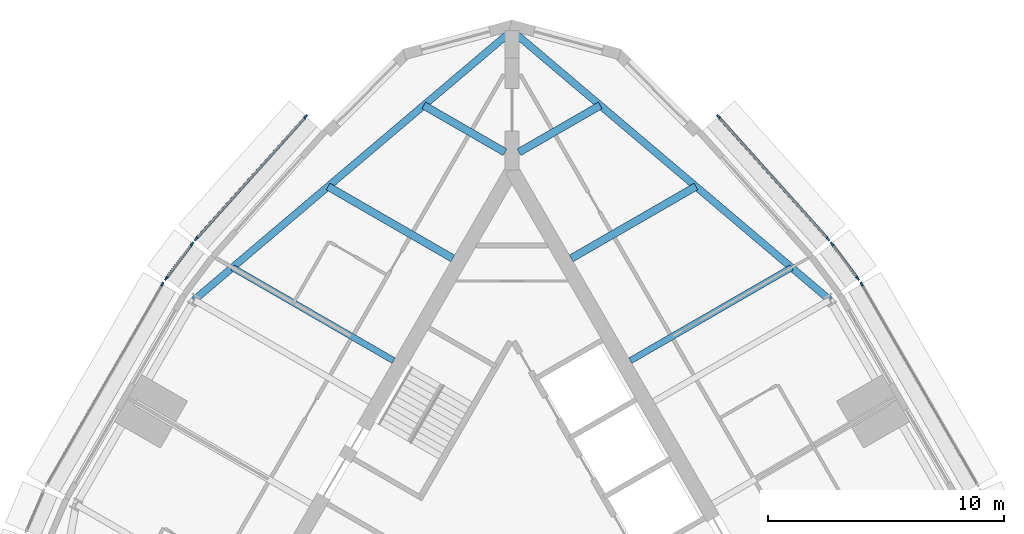
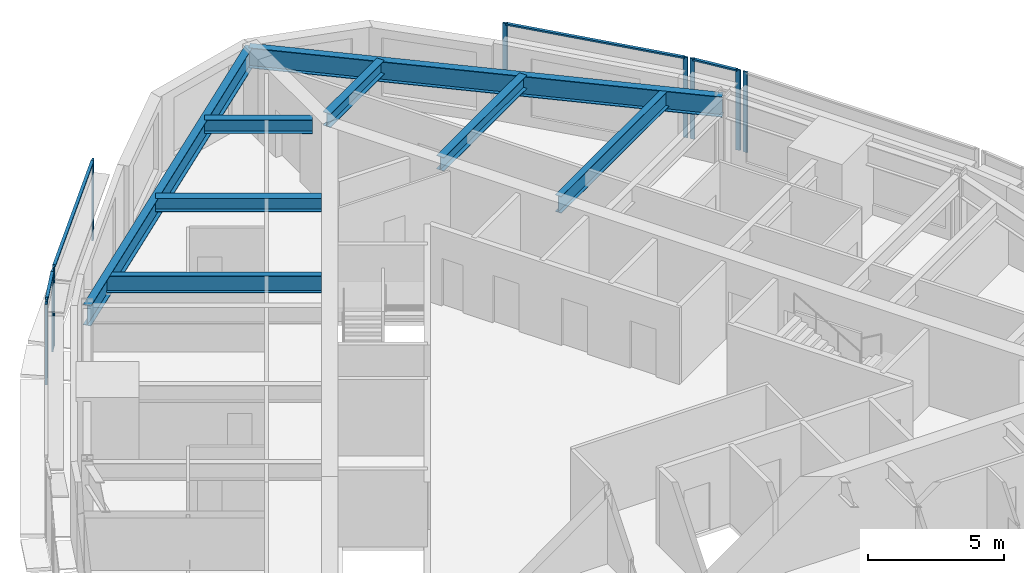
# One storey, part 5 of 12: 14 members, 8 beams, 6 elements without a shape of their own.
"""IFC4 building model written with IfcOpenShell, lengths in metres."""

from ifc_helpers import new_model, si_unit, direction, frame, origin, origin_2d, place, context, subcontext, project, spatial, rectangle, i_section, extrude, material, material_profile, profile_set, type_object, element, aggregate, save


model = new_model("IFC4")

# Units and contexts
model_context = context("Model", 3, precision=1e-05, world=origin(), true_north=direction((0.0, 1.0)))
body_context = subcontext(model_context, "Body", "Model", "MODEL_VIEW")
ifc_project = project(units=[si_unit("LENGTHUNIT", "METRE"), si_unit("AREAUNIT", "SQUARE_METRE"), si_unit("VOLUMEUNIT", "CUBIC_METRE"), si_unit("PLANEANGLEUNIT", "RADIAN"), si_unit("MASSUNIT", "GRAM", prefix="KILO")], contexts=[model_context])

# Site, building, storey
site_placement = place(None, origin())
site = spatial("IfcSite", under=ifc_project, at=site_placement, CompositionType="ELEMENT")
building_placement = place(site_placement, origin())
building = spatial("IfcBuilding", under=site, at=building_placement, Name="Trikona Tower", CompositionType="ELEMENT")
storey_placement = place(building_placement, frame((0.0, 0.0, 250.10009765625)))
storey = spatial("IfcBuildingStorey", under=building, at=storey_placement, Name="L66", CompositionType="ELEMENT", Elevation=250.10009765625)

# Curtain wall, member
ifc_material_1 = material(Name="Aluminium curtain wall system", Category="aluminium")
curtain_wall_type = type_object("IfcCurtainWallType", Name="Curtain wall DS3", PredefinedType="NOTDEFINED", material=ifc_material_1)
curtain_wall_1_placement = place(storey_placement, origin())
curtain_wall_1 = element("IfcCurtainWall", 1, at=curtain_wall_1_placement, inside=storey, type_object=curtain_wall_type, Name="Curtain wall DS3 L66", PredefinedType="NOTDEFINED")
ifc_material_2 = material(Name="Aluminium mullion, pale anodised", Category="aluminium")
ifc_material_profile_1 = material_profile(ifc_material_2, rectangle(XDim=0.070068359375, YDim=0.179931640625, at=origin_2d()), Name="MUL-DS3")
ifc_profile_set_1 = profile_set([ifc_material_profile_1], Name="Aluminium mullion, pale anodised")
member_type_1 = type_object("IfcMemberType", Name="Mullion DS3 70x180", PredefinedType="MULLION", material=ifc_profile_set_1)
member_1_placement = place(storey_placement, frame((14.807861328125, 14.213134765625, 0.0), z_axis=(0.0, 0.0, 1.0), x_axis=(-0.866024619633, -0.500001358187, 0.0)))
member_1 = element("IfcMember", 2, at=member_1_placement, type_object=member_type_1, Name="CW-DS3 mullion 2", PredefinedType="MULLION", context=body_context, shape_type="SweptSolid", body=[
    extrude(rectangle(XDim=0.070068359375, YDim=0.179931640625, at=origin_2d()), origin(), (0.0, 0.0, 1.0), 3.599853515625),
])
aggregate(curtain_wall_1, [member_1])

# Curtain wall, members
curtain_wall_2_placement = place(storey_placement, origin())
curtain_wall_2 = element("IfcCurtainWall", 3, at=curtain_wall_2_placement, inside=storey, type_object=curtain_wall_type, Name="Curtain wall DS3 L66", PredefinedType="NOTDEFINED")
member_2_placement = place(storey_placement, frame((14.644287109375, 14.461181640625, 0.0), z_axis=(0.0, 0.0, 1.0), x_axis=(-0.800259657055, -0.599653634435, 0.0)))
member_2 = element("IfcMember", 4, at=member_2_placement, type_object=member_type_1, Name="CW-DS3 mullion 1", PredefinedType="MULLION", context=body_context, shape_type="SweptSolid", body=[
    extrude(rectangle(XDim=0.070068359375, YDim=0.179931640625, at=origin_2d()), origin(), (0.0, 0.0, 1.0), 3.599853515625),
])
member_3_placement = place(storey_placement, frame((13.55029296875, 15.9208984375, 0.0), z_axis=(0.0, 0.0, 1.0), x_axis=(-0.800259657055, -0.599653634435, 0.0)))
member_3 = element("IfcMember", 5, at=member_3_placement, type_object=member_type_1, Name="CW-DS3 mullion 2", PredefinedType="MULLION", context=body_context, shape_type="SweptSolid", body=[
    extrude(rectangle(XDim=0.070068359375, YDim=0.179931640625, at=origin_2d()), origin(), (0.0, 0.0, 1.0), 3.599853515625),
])

curtain_wall_3_placement = place(storey_placement, origin())
curtain_wall_3 = element("IfcCurtainWall", 6, at=curtain_wall_3_placement, inside=storey, type_object=curtain_wall_type, Name="Curtain wall DS3 L66", PredefinedType="NOTDEFINED")
member_4_placement = place(storey_placement, frame((13.380126953125, 16.128662109375, 0.0), z_axis=(0.0, 0.0, 1.0), x_axis=(-0.744771436797, -0.667319643748, 0.0)))
member_4 = element("IfcMember", 7, at=member_4_placement, type_object=member_type_1, Name="CW-DS3 mullion 1", PredefinedType="MULLION", context=body_context, shape_type="SweptSolid", body=[
    extrude(rectangle(XDim=0.070068359375, YDim=0.179931640625, at=origin_2d()), origin(), (0.0, 0.0, 1.0), 3.599853515625),
])
member_5_placement = place(storey_placement, frame((8.733642578125, 21.314453125, 0.0), z_axis=(0.0, 0.0, 1.0), x_axis=(-0.744771436797, -0.667319643748, 0.0)))
member_5 = element("IfcMember", 8, at=member_5_placement, type_object=member_type_1, Name="CW-DS3 mullion 2", PredefinedType="MULLION", context=body_context, shape_type="SweptSolid", body=[
    extrude(rectangle(XDim=0.070068359375, YDim=0.179931640625, at=origin_2d()), origin(), (0.0, 0.0, 1.0), 3.599853515625),
])

curtain_wall_4_placement = place(storey_placement, origin())
curtain_wall_4 = element("IfcCurtainWall", 9, at=curtain_wall_4_placement, inside=storey, type_object=curtain_wall_type, Name="Curtain wall DS3 L66", PredefinedType="NOTDEFINED")
member_6_placement = place(storey_placement, frame((-8.733642578125, 21.314453125, 0.0), z_axis=(0.0, 0.0, 1.0), x_axis=(0.744771436797, -0.667319643748, 0.0)))
member_6 = element("IfcMember", 10, at=member_6_placement, type_object=member_type_1, Name="CW-DS3 mullion 1", PredefinedType="MULLION", context=body_context, shape_type="SweptSolid", body=[
    extrude(rectangle(XDim=0.070068359375, YDim=0.179931640625, at=origin_2d()), origin(), (0.0, 0.0, 1.0), 3.599853515625),
])
member_7_placement = place(storey_placement, frame((-13.380126953125, 16.128662109375, 0.0), z_axis=(0.0, 0.0, 1.0), x_axis=(0.744771436797, -0.667319643748, 0.0)))
member_7 = element("IfcMember", 11, at=member_7_placement, type_object=member_type_1, Name="CW-DS3 mullion 2", PredefinedType="MULLION", context=body_context, shape_type="SweptSolid", body=[
    extrude(rectangle(XDim=0.070068359375, YDim=0.179931640625, at=origin_2d()), origin(), (0.0, 0.0, 1.0), 3.599853515625),
])

curtain_wall_5_placement = place(storey_placement, origin())
curtain_wall_5 = element("IfcCurtainWall", 12, at=curtain_wall_5_placement, inside=storey, type_object=curtain_wall_type, Name="Curtain wall DS3 L66", PredefinedType="NOTDEFINED")
member_8_placement = place(storey_placement, frame((-13.55029296875, 15.9208984375, 0.0), z_axis=(0.0, 0.0, 1.0), x_axis=(0.800259657055, -0.599653634435, 0.0)))
member_8 = element("IfcMember", 13, at=member_8_placement, type_object=member_type_1, Name="CW-DS3 mullion 1", PredefinedType="MULLION", context=body_context, shape_type="SweptSolid", body=[
    extrude(rectangle(XDim=0.070068359375, YDim=0.179931640625, at=origin_2d()), origin(), (0.0, 0.0, 1.0), 3.599853515625),
])
member_9_placement = place(storey_placement, frame((-14.644287109375, 14.461181640625, 0.0), z_axis=(0.0, 0.0, 1.0), x_axis=(0.800259657055, -0.599653634435, 0.0)))
member_9 = element("IfcMember", 14, at=member_9_placement, type_object=member_type_1, Name="CW-DS3 mullion 2", PredefinedType="MULLION", context=body_context, shape_type="SweptSolid", body=[
    extrude(rectangle(XDim=0.070068359375, YDim=0.179931640625, at=origin_2d()), origin(), (0.0, 0.0, 1.0), 3.599853515625),
])

# Curtain wall, member
curtain_wall_6_placement = place(storey_placement, origin())
curtain_wall_6 = element("IfcCurtainWall", 15, at=curtain_wall_6_placement, inside=storey, type_object=curtain_wall_type, Name="Curtain wall DS3 L66", PredefinedType="NOTDEFINED")
member_10_placement = place(storey_placement, frame((-14.807861328125, 14.213134765625, 0.0), z_axis=(0.0, 0.0, 1.0), x_axis=(0.866024619633, -0.500001358187, 0.0)))
member_10 = element("IfcMember", 16, at=member_10_placement, type_object=member_type_1, Name="CW-DS3 mullion 1", PredefinedType="MULLION", context=body_context, shape_type="SweptSolid", body=[
    extrude(rectangle(XDim=0.070068359375, YDim=0.179931640625, at=origin_2d()), origin(), (0.0, 0.0, 1.0), 3.599853515625),
])
aggregate(curtain_wall_6, [member_10])

# Beams
ifc_material_3 = material(Name="Steel ASTM A992 Grade 50", Category="steel")
ifc_material_profile_2 = material_profile(ifc_material_3, i_section(OverallWidth=0.3251953125, OverallDepth=0.612060546875, WebThickness=0.0126953125, FlangeThickness=0.01904296875, at=origin_2d()), Name="W24X104")
ifc_profile_set_2 = profile_set([ifc_material_profile_2], Name="Steel ASTM A992 Grade 50")
beam_type_1 = type_object("IfcBeamType", Name="Steel beam W24x104 (wedge upper)", PredefinedType="BEAM", material=ifc_profile_set_2)
beam_1_placement = place(storey_placement, frame((2.509765625, 15.305419921875, 3.12890625), z_axis=(0.866023498866, 0.500003299401, 0.0), x_axis=(-0.500003299401, 0.866023498866, 0.0)))
element("IfcBeam", 17, at=beam_1_placement, inside=storey, type_object=beam_type_1, Name="Floor beam L67 F2 u12", PredefinedType="BEAM", context=body_context, shape_type="SweptSolid", body=[
    extrude(i_section(OverallWidth=0.3251953125, OverallDepth=0.612060546875, WebThickness=0.0126953125, FlangeThickness=0.01904296875, at=origin_2d()), origin(), (0.0, 0.0, 1.0), 6.09521484375),
])
for number, where, z_axis, x_axis, name in (
    (18, (0.300048828125, 19.802978515625, 3.12890625), (0.866004223388, 0.500036683728, 0.0), (-0.500036683728, 0.866004223388, 0.0), "Floor beam L67 F2 u17"),
    (19, (-0.300048828125, 19.802978515625, 3.12890625), (-0.866004223388, 0.500036683728, 0.0), (-0.500036683728, -0.866004223388, 0.0), "Floor beam L67 F3 u-17"),
):
    element("IfcBeam", number, at=place(storey_placement, frame(where, z_axis=z_axis, x_axis=x_axis)), inside=storey, type_object=beam_type_1, Name=name, PredefinedType="BEAM", context=body_context, shape_type="SweptSolid", body=[
        extrude(i_section(OverallWidth=0.3251953125, OverallDepth=0.612060546875, WebThickness=0.0126953125, FlangeThickness=0.01904296875, at=origin_2d()), origin(), (0.0, 0.0, 1.0), 3.968017578125),
    ])
beam_2_placement = place(storey_placement, frame((-2.509765625, 15.305419921875, 3.12890625), z_axis=(-0.866023498866, 0.500003299401, 0.0), x_axis=(-0.500003299401, -0.866023498866, 0.0)))
element("IfcBeam", 20, at=beam_2_placement, inside=storey, type_object=beam_type_1, Name="Floor beam L67 F3 u-12", PredefinedType="BEAM", context=body_context, shape_type="SweptSolid", body=[
    extrude(i_section(OverallWidth=0.3251953125, OverallDepth=0.612060546875, WebThickness=0.0126953125, FlangeThickness=0.01904296875, at=origin_2d()), origin(), (0.0, 0.0, 1.0), 6.09521484375),
])
ifc_material_4 = material(Name="Steel ASTM A992 Grade 50", Category="steel")
ifc_material_profile_3 = material_profile(ifc_material_4, i_section(OverallWidth=0.2666015625, OverallDepth=0.7568359375, WebThickness=0.013916015625, FlangeThickness=0.019287109375, at=origin_2d()), Name="W30X108")
ifc_profile_set_3 = profile_set([ifc_material_profile_3], Name="Steel ASTM A992 Grade 50")
beam_type_2 = type_object("IfcBeamType", Name="Steel beam W30x108 (radial upper)", PredefinedType="BEAM", material=ifc_profile_set_3)
for number, where, z_axis, x_axis, name in (
    (21, (5.009765625, 10.975341796875, 3.056396484375), (0.866034560358, 0.499984140014, 0.0), (-0.499984140014, 0.866034560358, 0.0), "Floor beam L67 F2 u7"),
    (22, (-5.009765625, 10.975341796875, 3.056396484375), (-0.866034560358, 0.499984140014, 0.0), (-0.499984140014, -0.866034560358, 0.0), "Floor beam L67 F3 u-7"),
):
    element("IfcBeam", number, at=place(storey_placement, frame(where, z_axis=z_axis, x_axis=x_axis)), inside=storey, type_object=beam_type_2, Name=name, PredefinedType="BEAM", context=body_context, shape_type="SweptSolid", body=[
        extrude(i_section(OverallWidth=0.2666015625, OverallDepth=0.7568359375, WebThickness=0.013916015625, FlangeThickness=0.019287109375, at=origin_2d()), origin(), (0.0, 0.0, 1.0), 7.887451171875),
    ])
ifc_material_5 = material(Name="Steel ASTM A992 Grade 50", Category="steel")
ifc_material_profile_4 = material_profile(ifc_material_5, i_section(OverallWidth=0.3046875, OverallDepth=0.911865234375, WebThickness=0.015869140625, FlangeThickness=0.02392578125, at=origin_2d()), Name="W36X150")
ifc_profile_set_4 = profile_set([ifc_material_profile_4], Name="Steel ASTM A992 Grade 50")
beam_type_3 = type_object("IfcBeamType", Name="Steel beam W36x150 (spandrel upper)", PredefinedType="SPANDREL", material=ifc_profile_set_4)
for number, where, z_axis, x_axis, name in (
    (23, (13.461181640625, 13.54541015625, 2.97900390625), (-0.762890626803, 0.646527564405, 0.0), (-0.646527564405, -0.762890626803, 0.0), "Spandrel beam L67 F2-3"),
    (24, (0.0, 24.953369140625, 2.97900390625), (-0.762890626803, -0.646527564405, 0.0), (0.646527564405, -0.762890626803, 0.0), "Spandrel beam L67 F3-1"),
):
    element("IfcBeam", number, at=place(storey_placement, frame(where, z_axis=z_axis, x_axis=x_axis)), inside=storey, type_object=beam_type_3, Name=name, PredefinedType="SPANDREL", context=body_context, shape_type="SweptSolid", body=[
        extrude(i_section(OverallWidth=0.3046875, OverallDepth=0.911865234375, WebThickness=0.015869140625, FlangeThickness=0.02392578125, at=origin_2d()), origin(), (0.0, 0.0, 1.0), 17.64501953125),
    ])

# Member
ifc_material_6 = material(Name="Aluminium transom, pale anodised", Category="aluminium")
ifc_material_profile_5 = material_profile(ifc_material_6, rectangle(XDim=0.1201171875, YDim=0.070068359375, at=origin_2d()), Name="TRN-DS3")
ifc_profile_set_5 = profile_set([ifc_material_profile_5], Name="Aluminium transom, pale anodised")
member_type_2 = type_object("IfcMemberType", Name="Transom DS3 70x120", PredefinedType="USERDEFINED", material=ifc_profile_set_5)
member_11_placement = place(storey_placement, frame((14.623291015625, 14.489013671875, 3.56494140625), z_axis=(-0.599621429645, 0.80028378786, 0.0), x_axis=(-0.80028378786, -0.599621429645, 0.0)))
member_11 = element("IfcMember", 25, at=member_11_placement, type_object=member_type_2, Name="CW-DS3 transom 1.1", ObjectType="TRANSOM", PredefinedType="USERDEFINED", context=body_context, shape_type="SweptSolid", body=[
    extrude(rectangle(XDim=0.1201171875, YDim=0.070068359375, at=origin_2d()), origin(), (0.0, 0.0, 1.0), 1.75439453125),
])

aggregate(curtain_wall_2, [member_2, member_3, member_11])

member_12_placement = place(storey_placement, frame((13.356689453125, 16.15478515625, 3.56494140625), z_axis=(-0.667313410703, 0.744777021595, 0.0), x_axis=(-0.744777021595, -0.667313410703, 0.0)))
member_12 = element("IfcMember", 26, at=member_12_placement, type_object=member_type_2, Name="CW-DS3 transom 1.1", ObjectType="TRANSOM", PredefinedType="USERDEFINED", context=body_context, shape_type="SweptSolid", body=[
    extrude(rectangle(XDim=0.1201171875, YDim=0.070068359375, at=origin_2d()), origin(), (0.0, 0.0, 1.0), 6.892822265625),
])

aggregate(curtain_wall_3, [member_4, member_5, member_12])

member_13_placement = place(storey_placement, frame((-8.757080078125, 21.288330078125, 3.56494140625), z_axis=(-0.667313410703, -0.744777021595, 0.0), x_axis=(0.744777021595, -0.667313410703, 0.0)))
member_13 = element("IfcMember", 27, at=member_13_placement, type_object=member_type_2, Name="CW-DS3 transom 1.1", ObjectType="TRANSOM", PredefinedType="USERDEFINED", context=body_context, shape_type="SweptSolid", body=[
    extrude(rectangle(XDim=0.1201171875, YDim=0.070068359375, at=origin_2d()), origin(), (0.0, 0.0, 1.0), 6.892822265625),
])

aggregate(curtain_wall_4, [member_6, member_7, member_13])

member_14_placement = place(storey_placement, frame((-13.5712890625, 15.89306640625, 3.56494140625), z_axis=(-0.599621429645, -0.80028378786, 0.0), x_axis=(0.80028378786, -0.599621429645, 0.0)))
member_14 = element("IfcMember", 28, at=member_14_placement, type_object=member_type_2, Name="CW-DS3 transom 1.1", ObjectType="TRANSOM", PredefinedType="USERDEFINED", context=body_context, shape_type="SweptSolid", body=[
    extrude(rectangle(XDim=0.1201171875, YDim=0.070068359375, at=origin_2d()), origin(), (0.0, 0.0, 1.0), 1.75439453125),
])

aggregate(curtain_wall_5, [member_8, member_9, member_14])

save(model, "model.ifc")
